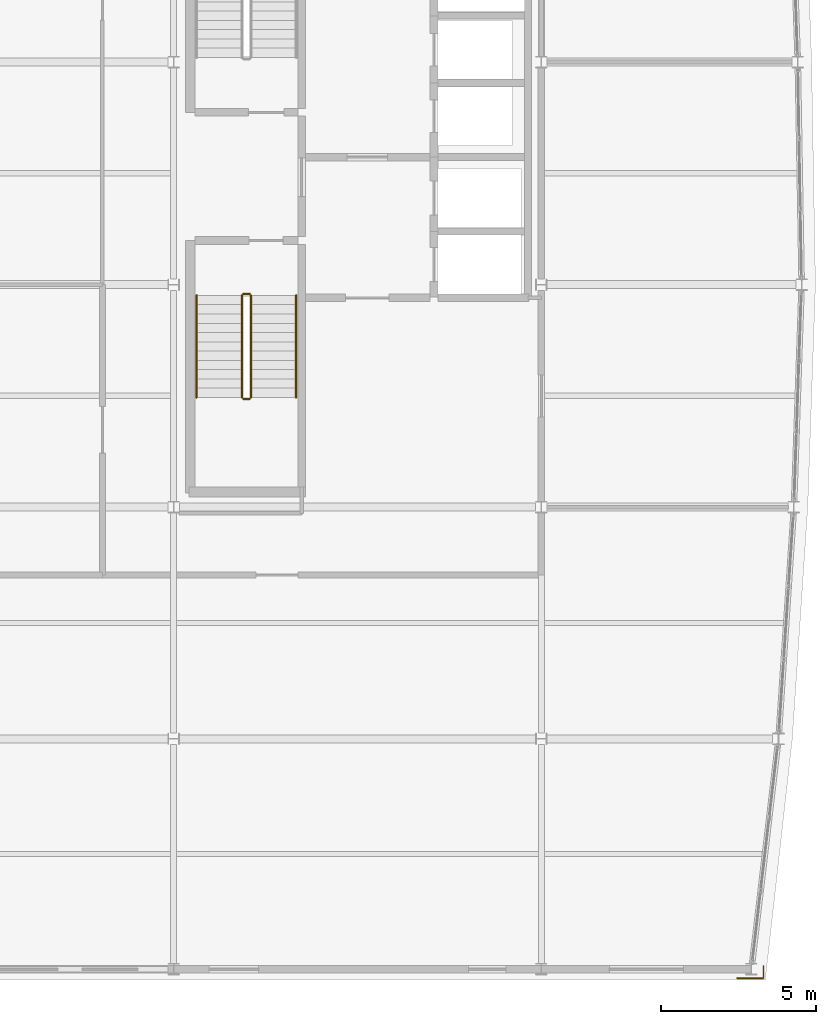
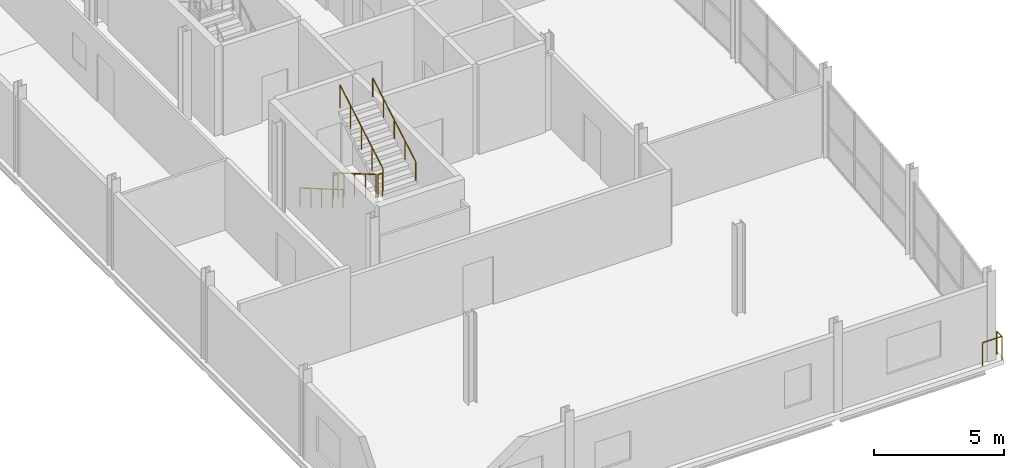
# One storey, part 18 of 20: 7 railings.
"""IFC4 building model written with IfcOpenShell, lengths in metres."""

from ifc_helpers import new_model, si_unit, direction, frame, origin, origin_2d, place, context, subcontext, project, spatial, circle, extrude, material, type_object, element, save


model = new_model("IFC4")

# Units and contexts
model_context = context("Model", 3, precision=1e-05, world=origin(), true_north=direction((0.0, 1.0)))
body_context = subcontext(model_context, "Body", "Model", "MODEL_VIEW")
ifc_project = project(units=[si_unit("LENGTHUNIT", "METRE"), si_unit("AREAUNIT", "SQUARE_METRE"), si_unit("VOLUMEUNIT", "CUBIC_METRE"), si_unit("PLANEANGLEUNIT", "RADIAN"), si_unit("MASSUNIT", "GRAM", prefix="KILO")], contexts=[model_context])

# Site, building, storey
site_placement = place(None, origin())
site = spatial("IfcSite", under=ifc_project, at=site_placement, CompositionType="ELEMENT")
building_placement = place(site_placement, origin())
building = spatial("IfcBuilding", under=site, at=building_placement, Name="Quillay Park Conservatory", CompositionType="ELEMENT")
storey_placement = place(building_placement, frame((0.0, 0.0, 26.699951171875)))
storey = spatial("IfcBuildingStorey", under=building, at=storey_placement, Name="L06", CompositionType="ELEMENT", Elevation=26.699951171875)

# Railings
ifc_material_1 = material(Name="Steel S355J2H", Category="steel")
railing_type_1 = type_object("IfcRailingType", Name="STAIR WALL HANDRAIL 900", PredefinedType="HANDRAIL", material=ifc_material_1)
railing_1_placement = place(storey_placement, frame((8.60009765625, 84.85009765625, 0.175048828125)))
element("IfcRailing", 1, at=railing_1_placement, inside=storey, type_object=railing_type_1, Name="L06 ST-T2 stair handrail 1", PredefinedType="HANDRAIL", context=body_context, shape_type="SweptSolid", body=[
    extrude(circle(Radius=0.02392578125, at=origin_2d()), frame((0.0, 0.0, 0.8759765625), z_axis=(0.0, -0.863776583165, 0.503874998761), x_axis=(1.0, 0.0, 0.0)), (0.0, 0.0, 1.0), 3.820556640625),
    extrude(circle(Radius=0.02099609375, at=origin_2d()), origin(), (0.0, 0.0, 1.0), 0.851806640625),
    extrude(circle(Radius=0.02099609375, at=origin_2d()), frame((0.0, -0.824951171875, 0.481201171875)), (0.0, 0.0, 1.0), 0.851806640625),
    extrude(circle(Radius=0.02099609375, at=origin_2d()), frame((0.0, -1.64990234375, 0.96240234375)), (0.0, 0.0, 1.0), 0.851806640625),
    extrude(circle(Radius=0.02099609375, at=origin_2d()), frame((0.0, -2.47509765625, 1.44384765625)), (0.0, 0.0, 1.0), 0.851806640625),
    extrude(circle(Radius=0.02099609375, at=origin_2d()), frame((0.0, -3.300048828125, 1.925048828125)), (0.0, 0.0, 1.0), 0.851806640625),
])
railing_2_placement = place(storey_placement, frame((11.820068359375, 81.550048828125, 2.275146484375)))
element("IfcRailing", 2, at=railing_2_placement, inside=storey, type_object=railing_type_1, Name="L06 ST-T2 stair handrail 2", PredefinedType="HANDRAIL", context=body_context, shape_type="SweptSolid", body=[
    extrude(circle(Radius=0.02392578125, at=origin_2d()), frame((0.0, 0.0, 0.8759765625), z_axis=(0.0, 0.863804395585, 0.503827317807), x_axis=(-1.0, 0.0, 0.0)), (0.0, 0.0, 1.0), 3.8203125),
    extrude(circle(Radius=0.02099609375, at=origin_2d()), origin(), (0.0, 0.0, 1.0), 0.851806640625),
    extrude(circle(Radius=0.02099609375, at=origin_2d()), frame((0.0, 0.824951171875, 0.481201171875)), (0.0, 0.0, 1.0), 0.851806640625),
    extrude(circle(Radius=0.02099609375, at=origin_2d()), frame((0.0, 1.64990234375, 0.96240234375)), (0.0, 0.0, 1.0), 0.851806640625),
    extrude(circle(Radius=0.02099609375, at=origin_2d()), frame((0.0, 2.47509765625, 1.443603515625)), (0.0, 0.0, 1.0), 0.851806640625),
    extrude(circle(Radius=0.02099609375, at=origin_2d()), frame((0.0, 3.300048828125, 1.9248046875)), (0.0, 0.0, 1.0), 0.851806640625),
])
ifc_material_2 = material(Name="Steel S355J2H", Category="steel")
railing_type_2 = type_object("IfcRailingType", Name="STAIR WELL GUARDRAIL 1100", PredefinedType="GUARDRAIL", material=ifc_material_2)
railing_3_placement = place(storey_placement, frame((10.06005859375, 84.85009765625, 0.175048828125)))
element("IfcRailing", 3, at=railing_3_placement, inside=storey, type_object=railing_type_2, Name="L06 ST-T2 stair guard 1", PredefinedType="GUARDRAIL", context=body_context, shape_type="SweptSolid", body=[
    extrude(circle(Radius=0.02392578125, at=origin_2d()), frame((0.0, 0.0, 1.076171875), z_axis=(0.0, -0.863776583165, 0.503874998761), x_axis=(1.0, 0.0, 0.0)), (0.0, 0.0, 1.0), 3.820556640625),
    extrude(circle(Radius=0.02099609375, at=origin_2d()), origin(), (0.0, 0.0, 1.0), 1.052001953125),
    extrude(circle(Radius=0.02099609375, at=origin_2d()), frame((0.0, -0.824951171875, 0.481201171875)), (0.0, 0.0, 1.0), 1.052001953125),
    extrude(circle(Radius=0.02099609375, at=origin_2d()), frame((0.0, -1.64990234375, 0.96240234375)), (0.0, 0.0, 1.0), 1.052001953125),
    extrude(circle(Radius=0.02099609375, at=origin_2d()), frame((0.0, -2.47509765625, 1.44384765625)), (0.0, 0.0, 1.0), 1.052001953125),
    extrude(circle(Radius=0.02099609375, at=origin_2d()), frame((0.0, -3.300048828125, 1.925048828125)), (0.0, 0.0, 1.0), 1.052001953125),
])
railing_4_placement = place(storey_placement, frame((10.110107421875, 81.5, 2.10009765625)))
element("IfcRailing", 4, at=railing_4_placement, inside=storey, type_object=railing_type_2, Name="L06 ST-T2 stair guard 2", PredefinedType="GUARDRAIL", context=body_context, shape_type="SweptSolid", body=[
    extrude(circle(Radius=0.02392578125, at=origin_2d()), frame((0.0, 0.0, 1.076171875), z_axis=(1.0, 0.0, 0.0), x_axis=(0.0, 1.0, 0.0)), (0.0, 0.0, 1.0), 0.199951171875),
    extrude(circle(Radius=0.02099609375, at=origin_2d()), origin(), (0.0, 0.0, 1.0), 1.052001953125),
    extrude(circle(Radius=0.02099609375, at=origin_2d()), frame((0.199951171875, 0.0, 0.0)), (0.0, 0.0, 1.0), 1.052001953125),
])
railing_5_placement = place(storey_placement, frame((10.360107421875, 81.550048828125, 2.275146484375)))
element("IfcRailing", 5, at=railing_5_placement, inside=storey, type_object=railing_type_2, Name="L06 ST-T2 stair guard 3", PredefinedType="GUARDRAIL", context=body_context, shape_type="SweptSolid", body=[
    extrude(circle(Radius=0.02392578125, at=origin_2d()), frame((0.0, 0.0, 1.076171875), z_axis=(0.0, 0.863804395585, 0.503827317807), x_axis=(-1.0, 0.0, 0.0)), (0.0, 0.0, 1.0), 3.8203125),
    extrude(circle(Radius=0.02099609375, at=origin_2d()), origin(), (0.0, 0.0, 1.0), 1.052001953125),
    extrude(circle(Radius=0.02099609375, at=origin_2d()), frame((0.0, 0.824951171875, 0.481201171875)), (0.0, 0.0, 1.0), 1.052001953125),
    extrude(circle(Radius=0.02099609375, at=origin_2d()), frame((0.0, 1.64990234375, 0.96240234375)), (0.0, 0.0, 1.0), 1.052001953125),
    extrude(circle(Radius=0.02099609375, at=origin_2d()), frame((0.0, 2.47509765625, 1.443603515625)), (0.0, 0.0, 1.0), 1.052001953125),
    extrude(circle(Radius=0.02099609375, at=origin_2d()), frame((0.0, 3.300048828125, 1.9248046875)), (0.0, 0.0, 1.0), 1.052001953125),
])
railing_6_placement = place(storey_placement, frame((10.110107421875, 84.89990234375, 0.0)))
element("IfcRailing", 6, at=railing_6_placement, inside=storey, type_object=railing_type_2, Name="L06 ST-T2 stair guard 4", PredefinedType="GUARDRAIL", context=body_context, shape_type="SweptSolid", body=[
    extrude(circle(Radius=0.02392578125, at=origin_2d()), frame((0.0, 0.0, 1.076171875), z_axis=(1.0, 0.0, 0.0), x_axis=(0.0, 1.0, 0.0)), (0.0, 0.0, 1.0), 0.199951171875),
    extrude(circle(Radius=0.02099609375, at=origin_2d()), origin(), (0.0, 0.0, 1.0), 1.052001953125),
    extrude(circle(Radius=0.02099609375, at=origin_2d()), frame((0.199951171875, 0.0, 0.0)), (0.0, 0.0, 1.0), 1.052001953125),
])
ifc_material_3 = material(Name="Steel S355J2H", Category="steel")
railing_type_3 = type_object("IfcRailingType", Name="TERRACE PERIMETER GUARDRAIL 1100", PredefinedType="GUARDRAIL", material=ifc_material_3)
railing_7_placement = place(storey_placement, frame((26.090087890625, 62.760009765625, 0.0)))
element("IfcRailing", 7, at=railing_7_placement, inside=storey, type_object=railing_type_3, Name="L06 Perimeter Safety Guardrail 031", PredefinedType="GUARDRAIL", context=body_context, shape_type="SweptSolid", body=[
    extrude(circle(Radius=0.02392578125, at=origin_2d()), frame((0.0, 0.0, 1.076171875), z_axis=(1.0, 0.0, 0.0), x_axis=(0.0, 1.0, 0.0)), (0.0, 0.0, 1.0), 0.849853515625),
    extrude(circle(Radius=0.02392578125, at=origin_2d()), frame((0.849853515625, 0.0, 1.076171875), z_axis=(0.0, 1.0, 0.0), x_axis=(-1.0, 0.0, 0.0)), (0.0, 0.0, 1.0), 0.389892578125),
    extrude(circle(Radius=0.02099609375, at=origin_2d()), origin(), (0.0, 0.0, 1.0), 1.052001953125),
    extrude(circle(Radius=0.02099609375, at=origin_2d()), frame((0.849853515625, 0.0, 0.0)), (0.0, 0.0, 1.0), 1.052001953125),
    extrude(circle(Radius=0.02099609375, at=origin_2d()), frame((0.849853515625, 0.389892578125, 0.0)), (0.0, 0.0, 1.0), 1.052001953125),
])

save(model, "model.ifc")
